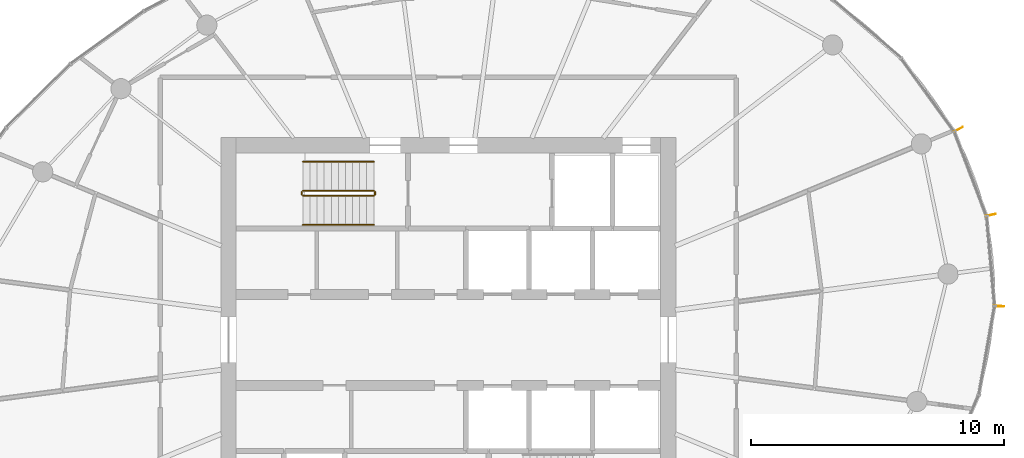
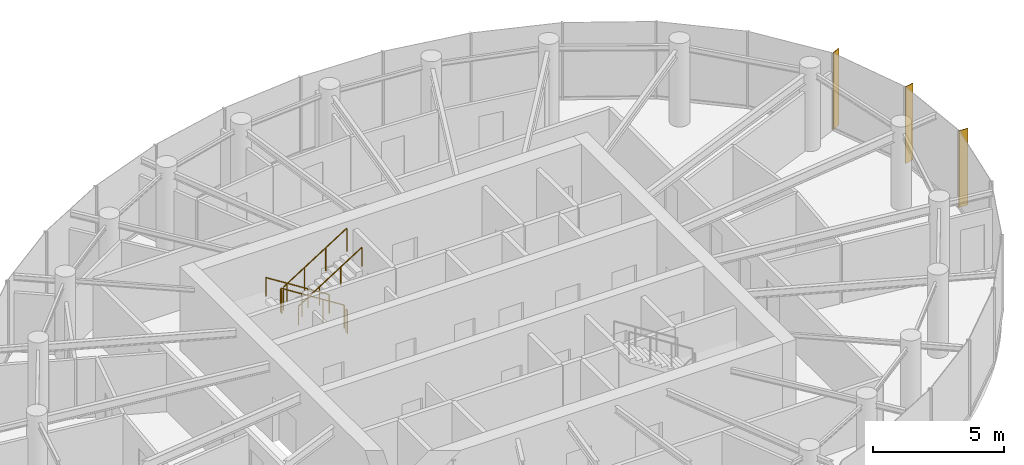
# One storey, part 13 of 13: 6 railings, 3 shading devices.
"""IFC4 building model written with IfcOpenShell, lengths in metres."""

from ifc_helpers import new_model, si_unit, direction, frame, origin, origin_2d, place, context, subcontext, project, spatial, rectangle, circle, extrude, source, transform, mapped, material, material_profile, profile_set, type_object, element, save


model = new_model("IFC4")

# Units and contexts
model_context = context("Model", 3, precision=1e-05, world=origin(), true_north=direction((0.0, 1.0)))
body_context = subcontext(model_context, "Body", "Model", "MODEL_VIEW")
ifc_project = project(units=[si_unit("LENGTHUNIT", "METRE"), si_unit("AREAUNIT", "SQUARE_METRE"), si_unit("VOLUMEUNIT", "CUBIC_METRE"), si_unit("PLANEANGLEUNIT", "RADIAN"), si_unit("MASSUNIT", "GRAM", prefix="KILO")], contexts=[model_context])

# Site, building, storey
site_placement = place(None, origin())
site = spatial("IfcSite", under=ifc_project, at=site_placement, CompositionType="ELEMENT")
building_placement = place(site_placement, origin())
building = spatial("IfcBuilding", under=site, at=building_placement, Name="Spindrift Exchange Tower", CompositionType="ELEMENT")
storey_placement = place(building_placement, frame((0.0, 0.0, 261.800048828125)))
storey = spatial("IfcBuildingStorey", under=building, at=storey_placement, Name="L64", CompositionType="ELEMENT", Elevation=261.800048828125)

# Railings
ifc_material_1 = material(Name="Steel balustrade", Category="steel")
railing_type_1 = type_object("IfcRailingType", Name="RL-STAIR-GUARD", PredefinedType="GUARDRAIL", material=ifc_material_1)
railing_1_placement = place(storey_placement, frame((49.050048828125, 53.89990234375, 0.17724609375)))
element("IfcRailing", 1, at=railing_1_placement, inside=storey, type_object=railing_type_1, Name="L64 ST1 stair guard 1", PredefinedType="GUARDRAIL", context=body_context, shape_type="SweptSolid", body=[
    extrude(circle(Radius=0.02392578125, at=origin_2d()), frame((0.0, 0.0, 1.076171875), z_axis=(-0.844908973607, 0.0, 0.534910110503), x_axis=(0.0, -1.0, 0.0)), (0.0, 0.0, 1.0), 3.31396484375),
    extrude(circle(Radius=0.02099609375, at=origin_2d()), origin(), (0.0, 0.0, 1.0), 1.052001953125),
    extrude(circle(Radius=0.02099609375, at=origin_2d()), frame((-0.933349609375, 0.0, 0.5908203125)), (0.0, 0.0, 1.0), 1.052001953125),
    extrude(circle(Radius=0.02099609375, at=origin_2d()), frame((-1.86669921875, 0.0, 1.181884765625)), (0.0, 0.0, 1.0), 1.052001953125),
    extrude(circle(Radius=0.02099609375, at=origin_2d()), frame((-2.800048828125, 0.0, 1.772705078125)), (0.0, 0.0, 1.0), 1.052001953125),
])
railing_2_placement = place(storey_placement, frame((46.199951171875, 53.85009765625, 1.949951171875)))
element("IfcRailing", 2, at=railing_2_placement, inside=storey, type_object=railing_type_1, Name="L64 ST1 stair guard 2", PredefinedType="GUARDRAIL", context=body_context, shape_type="SweptSolid", body=[
    extrude(circle(Radius=0.02392578125, at=origin_2d()), frame((0.0, 0.0, 1.076171875), z_axis=(0.0, -1.0, 0.0), x_axis=(1.0, 0.0, 0.0)), (0.0, 0.0, 1.0), 0.10009765625),
    extrude(circle(Radius=0.02099609375, at=origin_2d()), origin(), (0.0, 0.0, 1.0), 1.052001953125),
    extrude(circle(Radius=0.02099609375, at=origin_2d()), frame((0.0, -0.10009765625, 0.0)), (0.0, 0.0, 1.0), 1.052001953125),
])
railing_3_placement = place(storey_placement, frame((46.25, 53.699951171875, 2.127197265625)))
element("IfcRailing", 3, at=railing_3_placement, inside=storey, type_object=railing_type_1, Name="L64 ST1 stair guard 3", PredefinedType="GUARDRAIL", context=body_context, shape_type="SweptSolid", body=[
    extrude(circle(Radius=0.02392578125, at=origin_2d()), frame((0.0, 0.0, 1.076171875), z_axis=(0.844908973607, 0.0, 0.534910110503), x_axis=(0.0, 1.0, 0.0)), (0.0, 0.0, 1.0), 3.31396484375),
    extrude(circle(Radius=0.02099609375, at=origin_2d()), origin(), (0.0, 0.0, 1.0), 1.052001953125),
    extrude(circle(Radius=0.02099609375, at=origin_2d()), frame((0.933349609375, 0.0, 0.5908203125)), (0.0, 0.0, 1.0), 1.052001953125),
    extrude(circle(Radius=0.02099609375, at=origin_2d()), frame((1.86669921875, 0.0, 1.181884765625)), (0.0, 0.0, 1.0), 1.052001953125),
    extrude(circle(Radius=0.02099609375, at=origin_2d()), frame((2.800048828125, 0.0, 1.772705078125)), (0.0, 0.0, 1.0), 1.052001953125),
])
railing_4_placement = place(storey_placement, frame((49.10009765625, 53.85009765625, 0.0)))
element("IfcRailing", 4, at=railing_4_placement, inside=storey, type_object=railing_type_1, Name="L64 ST1 stair guard 4", PredefinedType="GUARDRAIL", context=body_context, shape_type="SweptSolid", body=[
    extrude(circle(Radius=0.02392578125, at=origin_2d()), frame((0.0, 0.0, 1.076171875), z_axis=(0.0, -1.0, 0.0), x_axis=(1.0, 0.0, 0.0)), (0.0, 0.0, 1.0), 0.10009765625),
    extrude(circle(Radius=0.02099609375, at=origin_2d()), origin(), (0.0, 0.0, 1.0), 1.052001953125),
    extrude(circle(Radius=0.02099609375, at=origin_2d()), frame((0.0, -0.10009765625, 0.0)), (0.0, 0.0, 1.0), 1.052001953125),
])
ifc_material_2 = material(Name="Steel tubular handrail", Category="steel")
railing_type_2 = type_object("IfcRailingType", Name="RL-STAIR-HAND", PredefinedType="HANDRAIL", material=ifc_material_2)
railing_5_placement = place(storey_placement, frame((49.050048828125, 55.050048828125, 0.17724609375)))
element("IfcRailing", 5, at=railing_5_placement, inside=storey, type_object=railing_type_2, Name="L64 ST1 stair handrail 1", PredefinedType="HANDRAIL", context=body_context, shape_type="SweptSolid", body=[
    extrude(circle(Radius=0.02392578125, at=origin_2d()), frame((0.0, 0.0, 0.8759765625), z_axis=(-0.844908973607, 0.0, 0.534910110503), x_axis=(0.0, -1.0, 0.0)), (0.0, 0.0, 1.0), 3.31396484375),
    extrude(circle(Radius=0.02099609375, at=origin_2d()), origin(), (0.0, 0.0, 1.0), 0.851806640625),
    extrude(circle(Radius=0.02099609375, at=origin_2d()), frame((-0.933349609375, 0.0, 0.5908203125)), (0.0, 0.0, 1.0), 0.851806640625),
    extrude(circle(Radius=0.02099609375, at=origin_2d()), frame((-1.86669921875, 0.0, 1.181884765625)), (0.0, 0.0, 1.0), 0.851806640625),
    extrude(circle(Radius=0.02099609375, at=origin_2d()), frame((-2.800048828125, 0.0, 1.772705078125)), (0.0, 0.0, 1.0), 0.851806640625),
])
railing_6_placement = place(storey_placement, frame((46.25, 52.550048828125, 2.127197265625)))
element("IfcRailing", 6, at=railing_6_placement, inside=storey, type_object=railing_type_2, Name="L64 ST1 stair handrail 2", PredefinedType="HANDRAIL", context=body_context, shape_type="SweptSolid", body=[
    extrude(circle(Radius=0.02392578125, at=origin_2d()), frame((0.0, 0.0, 0.8759765625), z_axis=(0.844908973607, 0.0, 0.534910110503), x_axis=(0.0, 1.0, 0.0)), (0.0, 0.0, 1.0), 3.31396484375),
    extrude(circle(Radius=0.02099609375, at=origin_2d()), origin(), (0.0, 0.0, 1.0), 0.851806640625),
    extrude(circle(Radius=0.02099609375, at=origin_2d()), frame((0.933349609375, 0.0, 0.5908203125)), (0.0, 0.0, 1.0), 0.851806640625),
    extrude(circle(Radius=0.02099609375, at=origin_2d()), frame((1.86669921875, 0.0, 1.181884765625)), (0.0, 0.0, 1.0), 0.851806640625),
    extrude(circle(Radius=0.02099609375, at=origin_2d()), frame((2.800048828125, 0.0, 1.772705078125)), (0.0, 0.0, 1.0), 0.851806640625),
])

# Shading devices
ifc_material_3 = material(Name="Bronze anodised aluminium", Category="aluminium")
ifc_material_profile = material_profile(ifc_material_3, rectangle(XDim=0.030029296875, YDim=0.39990234375, at=origin_2d()), Name="WIND FIN 30X400")
ifc_profile_set = profile_set([ifc_material_profile], Name="Bronze anodised aluminium")
shading_device_type = type_object("IfcShadingDeviceType", Name="WIND FIN 30X400", PredefinedType="USERDEFINED", material=ifc_profile_set)
shared_shape = source(origin(), body_context, "Body", "SweptSolid", [
    extrude(rectangle(XDim=0.030029296875, YDim=0.39990234375, at=origin_2d()), origin(), (0.0, 0.0, 1.0), 3.579833984375),
])
for number, where, z_axis, x_axis, name in (
    (7, (73.46875, 52.938720703125, 0.0), (0.0, 0.0, 1.0), (-0.224184015678, 0.974546831668, 0.0), "L64 wind fin 4"),
    (8, (72.1796875, 56.324951171875, 0.0), (0.0, 0.0, 1.0), (-0.475591967947, 0.879666004814, 0.0), "L64 wind fin 5"),
    (9, (73.788818359375, 49.32958984375, 0.0), (0.0, 0.0, 1.0), (0.043406658872, 0.999057486817, 0.0), "L64 wind fin 6"),
):
    element("IfcShadingDevice", number, at=place(storey_placement, frame(where, z_axis=z_axis, x_axis=x_axis)), inside=storey, type_object=shading_device_type, Name=name, ObjectType="FIN", PredefinedType="USERDEFINED", context=body_context, shape_type="MappedRepresentation", body=[
        mapped(shared_shape, transform((0.0, 0.0, 0.0), scale=1.0)),
    ])

save(model, "model.ifc")
